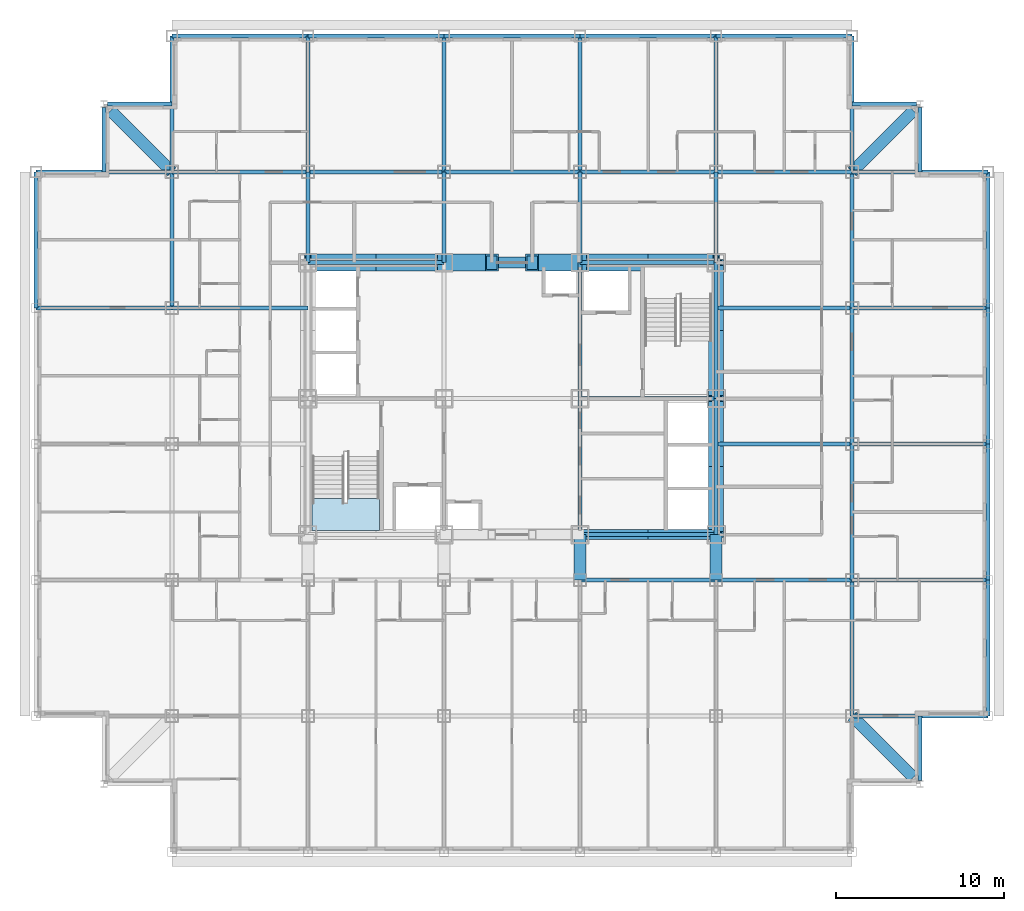
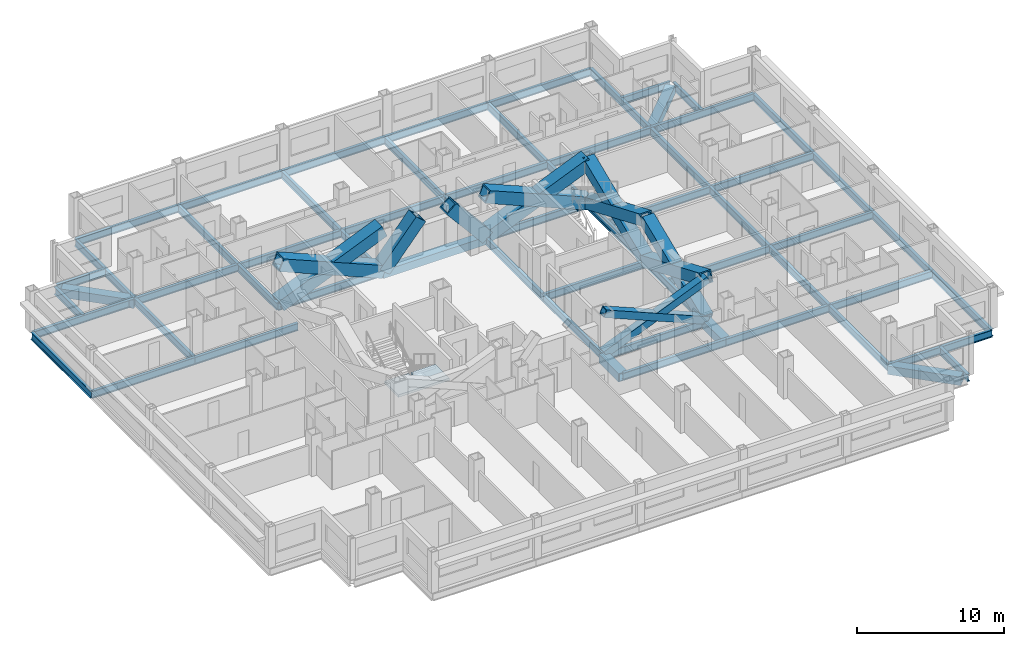
# One storey, part 2 of 12: 61 beams, 12 members, 1 slab, 1 element without a shape of its own.
"""IFC4 building model written with IfcOpenShell, lengths in metres."""

from ifc_helpers import new_model, si_unit, direction, frame, origin, origin_2d, place, context, subcontext, project, spatial, polyline, hollow_rectangle, i_section, outline, extrude, material, layer, layer_set, material_profile, profile_set, type_object, element, aggregate, save


model = new_model("IFC4")

# Units and contexts
model_context = context("Model", 3, precision=1e-05, world=origin(), true_north=direction((0.0, 1.0)))
body_context = subcontext(model_context, "Body", "Model", "MODEL_VIEW")
ifc_project = project(units=[si_unit("LENGTHUNIT", "METRE"), si_unit("AREAUNIT", "SQUARE_METRE"), si_unit("VOLUMEUNIT", "CUBIC_METRE"), si_unit("PLANEANGLEUNIT", "RADIAN"), si_unit("MASSUNIT", "GRAM", prefix="KILO")], contexts=[model_context])

# Site, building, storey
site_placement = place(None, origin())
site = spatial("IfcSite", under=ifc_project, at=site_placement, CompositionType="ELEMENT")
building_placement = place(site_placement, origin())
building = spatial("IfcBuilding", under=site, at=building_placement, Name="Kopane Lantern Tower", CompositionType="ELEMENT")
storey_placement = place(building_placement, frame((0.0, 0.0, 144.199951171875)))
storey = spatial("IfcBuildingStorey", under=building, at=storey_placement, Name="L37", CompositionType="ELEMENT", Elevation=144.199951171875)

# Members
ifc_material_1 = material(Name="Steel S355JR", Category="steel")
ifc_material_profile_1 = material_profile(ifc_material_1, hollow_rectangle(XDim=1.0, YDim=1.0, WallThickness=0.10009765625, at=origin_2d()), Name="BOX 1000x1000x100")
ifc_profile_set_1 = profile_set([ifc_material_profile_1], Name="Steel S355JR")
member_type_1 = type_object("IfcMemberType", Name="BRACE BOX 1000x1000x100", PredefinedType="BRACE", material=ifc_profile_set_1)
for number, where, z_axis, x_axis, name in (
    (1, (16.199951171875, 40.5, -0.2099609375), (0.922069000757, 0.0, 0.387025526088), (0.0, 1.0, 0.0), "Core brace L37"),
    (2, (24.300048828125, 40.5, -0.2099609375), (-0.922069000757, 0.0, 0.387025526088), (0.0, -1.0, 0.0), "Core brace L37"),
):
    element("IfcMember", number, at=place(storey_placement, frame(where, z_axis=z_axis, x_axis=x_axis)), inside=storey, type_object=member_type_1, Name=name, PredefinedType="BRACE", context=body_context, shape_type="SweptSolid", body=[
        extrude(hollow_rectangle(XDim=1.0, YDim=1.0, WallThickness=0.10009765625, at=origin_2d()), origin(), (0.0, 0.0, 1.0), 8.78466796875),
    ])
for number, where, z_axis, x_axis, name in (
    (3, (24.300048828125, 40.5, -0.2099609375), (0.642390257445, 0.0, 0.7663776857), (0.0, 1.0, 0.0), "Core brace L37"),
    (4, (32.39990234375, 40.5, -0.2099609375), (-0.642390257445, 0.0, 0.7663776857), (0.0, -1.0, 0.0), "Core brace L37"),
):
    element("IfcMember", number, at=place(storey_placement, frame(where, z_axis=z_axis, x_axis=x_axis)), inside=storey, type_object=member_type_1, Name=name, PredefinedType="BRACE", context=body_context, shape_type="SweptSolid", body=[
        extrude(hollow_rectangle(XDim=1.0, YDim=1.0, WallThickness=0.10009765625, at=origin_2d()), origin(), (0.0, 0.0, 1.0), 4.436279296875),
    ])
for number, where, z_axis, x_axis, name in (
    (5, (32.39990234375, 40.5, -0.2099609375), (0.922069000757, 0.0, 0.387025526088), (0.0, 1.0, 0.0), "Core brace L37"),
    (6, (40.5, 40.5, -0.2099609375), (-0.922069000757, 0.0, 0.387025526088), (0.0, -1.0, 0.0), "Core brace L37"),
):
    element("IfcMember", number, at=place(storey_placement, frame(where, z_axis=z_axis, x_axis=x_axis)), inside=storey, type_object=member_type_1, Name=name, PredefinedType="BRACE", context=body_context, shape_type="SweptSolid", body=[
        extrude(hollow_rectangle(XDim=1.0, YDim=1.0, WallThickness=0.10009765625, at=origin_2d()), origin(), (0.0, 0.0, 1.0), 8.78466796875),
    ])
ifc_material_2 = material(Name="Steel S355JR", Category="steel")
ifc_material_profile_2 = material_profile(ifc_material_2, hollow_rectangle(XDim=0.60009765625, YDim=0.60009765625, WallThickness=0.050048828125, at=origin_2d()), Name="BOX 600x600x50")
ifc_profile_set_2 = profile_set([ifc_material_profile_2], Name="Steel S355JR")
member_type_2 = type_object("IfcMemberType", Name="BRACE BOX 600x600x50", PredefinedType="BRACE", material=ifc_profile_set_2)
for number, where, z_axis, x_axis, name in (
    (7, (32.39990234375, 24.300048828125, -0.2099609375), (0.922069000757, 0.0, 0.387025526088), (0.0, 1.0, 0.0), "Core brace L37"),
    (8, (40.5, 24.300048828125, -0.2099609375), (-0.922069000757, 0.0, 0.387025526088), (0.0, -1.0, 0.0), "Core brace L37"),
):
    element("IfcMember", number, at=place(storey_placement, frame(where, z_axis=z_axis, x_axis=x_axis)), inside=storey, type_object=member_type_2, Name=name, PredefinedType="BRACE", context=body_context, shape_type="SweptSolid", body=[
        extrude(hollow_rectangle(XDim=0.60009765625, YDim=0.60009765625, WallThickness=0.050048828125, at=origin_2d()), origin(), (0.0, 0.0, 1.0), 8.78466796875),
    ])
ifc_material_3 = material(Name="Steel S355JR", Category="steel")
ifc_material_profile_3 = material_profile(ifc_material_3, hollow_rectangle(XDim=0.89990234375, YDim=0.89990234375, WallThickness=0.090087890625, at=origin_2d()), Name="BOX 900x900x90")
ifc_profile_set_3 = profile_set([ifc_material_profile_3], Name="Steel S355JR")
member_type_3 = type_object("IfcMemberType", Name="BRACE BOX 900x900x90", PredefinedType="BRACE", material=ifc_profile_set_3)
for number, where, z_axis, x_axis, name in (
    (9, (40.5, 24.300048828125, -0.2099609375), (0.0, 0.922064837731, 0.38703544414), (-1.0, 0.0, 0.0), "Core brace L37"),
    (10, (40.5, 32.39990234375, -0.2099609375), (0.0, -0.922064837731, 0.38703544414), (1.0, 0.0, 0.0), "Core brace L37"),
):
    element("IfcMember", number, at=place(storey_placement, frame(where, z_axis=z_axis, x_axis=x_axis)), inside=storey, type_object=member_type_3, Name=name, PredefinedType="BRACE", context=body_context, shape_type="SweptSolid", body=[
        extrude(hollow_rectangle(XDim=0.89990234375, YDim=0.89990234375, WallThickness=0.090087890625, at=origin_2d()), origin(), (0.0, 0.0, 1.0), 8.784423828125),
    ])
for number, where, z_axis, x_axis, name in (
    (11, (40.5, 32.39990234375, -0.2099609375), (0.0, 0.922069000757, 0.387025526088), (-1.0, 0.0, 0.0), "Core brace L37"),
    (12, (40.5, 40.5, -0.2099609375), (0.0, -0.922069000757, 0.387025526088), (1.0, 0.0, 0.0), "Core brace L37"),
):
    element("IfcMember", number, at=place(storey_placement, frame(where, z_axis=z_axis, x_axis=x_axis)), inside=storey, type_object=member_type_3, Name=name, PredefinedType="BRACE", context=body_context, shape_type="SweptSolid", body=[
        extrude(hollow_rectangle(XDim=0.89990234375, YDim=0.89990234375, WallThickness=0.090087890625, at=origin_2d()), origin(), (0.0, 0.0, 1.0), 8.78466796875),
    ])

# Beams
ifc_material_4 = material(Name="Steel S355JR", Category="steel")
ifc_material_profile_4 = material_profile(ifc_material_4, i_section(OverallWidth=0.22900390625, OverallDepth=0.6123046875, WebThickness=0.011962890625, FlangeThickness=0.01953125, FilletRadius=0.0126953125, at=origin_2d()), Name="UB 610x229x125")
ifc_profile_set_4 = profile_set([ifc_material_profile_4], Name="Steel S355JR")
beam_type_1 = type_object("IfcBeamType", Name="CORE BEAM UB 610x229x125", PredefinedType="BEAM", material=ifc_profile_set_4)
beam_1_placement = place(storey_placement, frame((32.39990234375, 24.300048828125, -0.51611328125), z_axis=(0.0, 1.0, 0.0), x_axis=(-1.0, 0.0, 0.0)))
element("IfcBeam", 13, at=beam_1_placement, inside=storey, type_object=beam_type_1, Name="Core Beam L37", PredefinedType="BEAM", context=body_context, shape_type="SweptSolid", body=[
    extrude(i_section(OverallWidth=0.22900390625, OverallDepth=0.6123046875, WebThickness=0.011962890625, FlangeThickness=0.01953125, FilletRadius=0.0126953125, at=origin_2d()), origin(), (0.0, 0.0, 1.0), 8.099853515625),
])
for number, where, z_axis, x_axis, name in (
    (14, (32.39990234375, 32.39990234375, -0.51611328125), (0.0, 1.0, 0.0), (-1.0, 0.0, 0.0), "Core Beam L37"),
    (15, (32.39990234375, 32.39990234375, -0.51611328125), (1.0, 0.0, 0.0), (0.0, 1.0, 0.0), "Core Beam L37"),
):
    element("IfcBeam", number, at=place(storey_placement, frame(where, z_axis=z_axis, x_axis=x_axis)), inside=storey, type_object=beam_type_1, Name=name, PredefinedType="BEAM", context=body_context, shape_type="SweptSolid", body=[
        extrude(i_section(OverallWidth=0.22900390625, OverallDepth=0.6123046875, WebThickness=0.011962890625, FlangeThickness=0.01953125, FilletRadius=0.0126953125, at=origin_2d()), origin(), (0.0, 0.0, 1.0), 8.10009765625),
    ])
ifc_material_5 = material(Name="Steel S355JR", Category="steel")
ifc_material_profile_5 = material_profile(ifc_material_5, hollow_rectangle(XDim=0.699951171875, YDim=0.699951171875, WallThickness=0.06005859375, at=origin_2d()), Name="BOX 700x700x60")
ifc_profile_set_5 = profile_set([ifc_material_profile_5], Name="Steel S355JR")
beam_type_2 = type_object("IfcBeamType", Name="CORNER TIE BEAM BOX 700x700x60", PredefinedType="BEAM", material=ifc_profile_set_5)
beam_2_placement = place(storey_placement, frame((4.447509765625, 49.552490234375, -0.56005859375), z_axis=(0.707106781187, -0.707106781187, 0.0), x_axis=(0.707106781187, 0.707106781187, 0.0)))
element("IfcBeam", 16, at=beam_2_placement, inside=storey, type_object=beam_type_2, Name="Corner Tie Beam L37", PredefinedType="BEAM", context=body_context, shape_type="SweptSolid", body=[
    extrude(hollow_rectangle(XDim=0.699951171875, YDim=0.699951171875, WallThickness=0.06005859375, at=origin_2d()), origin(), (0.0, 0.0, 1.0), 5.16552734375),
])
for number, where, z_axis, x_axis, name in (
    (17, (52.25244140625, 9.847412109375, -0.56005859375), (-0.707083148333, 0.70713041325, 0.0), (-0.70713041325, -0.707083148333, 0.0), "Corner Tie Beam L37"),
    (18, (52.25244140625, 49.552490234375, -0.56005859375), (-0.707083148333, -0.70713041325, 0.0), (0.70713041325, -0.707083148333, 0.0), "Corner Tie Beam L37"),
):
    element("IfcBeam", number, at=place(storey_placement, frame(where, z_axis=z_axis, x_axis=x_axis)), inside=storey, type_object=beam_type_2, Name=name, PredefinedType="BEAM", context=body_context, shape_type="SweptSolid", body=[
        extrude(hollow_rectangle(XDim=0.699951171875, YDim=0.699951171875, WallThickness=0.06005859375, at=origin_2d()), origin(), (0.0, 0.0, 1.0), 5.165283203125),
    ])
ifc_material_6 = material(Name="Steel S355JR", Category="steel")
ifc_material_profile_6 = material_profile(ifc_material_6, i_section(OverallWidth=0.22900390625, OverallDepth=0.6123046875, WebThickness=0.011962890625, FlangeThickness=0.01953125, FilletRadius=0.0126953125, at=origin_2d()), Name="UB 610x229x125")
ifc_profile_set_6 = profile_set([ifc_material_profile_6], Name="Steel S355JR")
beam_type_3 = type_object("IfcBeamType", Name="EDGE BEAM UB 610x229x125", PredefinedType="BEAM", material=ifc_profile_set_6)
for number, where, z_axis, x_axis, name in (
    (19, (4.050048828125, 49.74658203125, -0.51611328125), (0.0, -1.0, 0.0), (1.0, 0.0, 0.0), "Edge Beam L37"),
    (20, (4.25341796875, 49.949951171875, -0.51611328125), (1.0, 0.0, 0.0), (0.0, 1.0, 0.0), "Edge Beam L37"),
):
    element("IfcBeam", number, at=place(storey_placement, frame(where, z_axis=z_axis, x_axis=x_axis)), inside=storey, type_object=beam_type_3, Name=name, PredefinedType="BEAM", context=body_context, shape_type="SweptSolid", body=[
        extrude(i_section(OverallWidth=0.22900390625, OverallDepth=0.6123046875, WebThickness=0.011962890625, FlangeThickness=0.01953125, FilletRadius=0.0126953125, at=origin_2d()), origin(), (0.0, 0.0, 1.0), 3.8466796875),
    ])
for number, where, z_axis, x_axis, name in (
    (21, (52.446533203125, 49.949951171875, -0.51611328125), (-1.0, 0.0, 0.0), (0.0, -1.0, 0.0), "Edge Beam L37"),
    (22, (52.64990234375, 9.653564453125, -0.51611328125), (0.0, 1.0, 0.0), (-1.0, 0.0, 0.0), "Edge Beam L37"),
):
    element("IfcBeam", number, at=place(storey_placement, frame(where, z_axis=z_axis, x_axis=x_axis)), inside=storey, type_object=beam_type_3, Name=name, PredefinedType="BEAM", context=body_context, shape_type="SweptSolid", body=[
        extrude(i_section(OverallWidth=0.22900390625, OverallDepth=0.6123046875, WebThickness=0.011962890625, FlangeThickness=0.01953125, FilletRadius=0.0126953125, at=origin_2d()), origin(), (0.0, 0.0, 1.0), 3.846435546875),
    ])
beam_3_placement = place(storey_placement, frame((52.64990234375, 49.74658203125, -0.51611328125), z_axis=(0.0, -1.0, 0.0), x_axis=(1.0, 0.0, 0.0)))
element("IfcBeam", 23, at=beam_3_placement, inside=storey, type_object=beam_type_3, Name="Edge Beam L37", PredefinedType="BEAM", context=body_context, shape_type="SweptSolid", body=[
    extrude(i_section(OverallWidth=0.22900390625, OverallDepth=0.6123046875, WebThickness=0.011962890625, FlangeThickness=0.01953125, FilletRadius=0.0126953125, at=origin_2d()), origin(), (0.0, 0.0, 1.0), 3.8466796875),
])
ifc_material_7 = material(Name="Steel S355JR", Category="steel")
ifc_material_profile_7 = material_profile(ifc_material_7, hollow_rectangle(XDim=0.699951171875, YDim=0.699951171875, WallThickness=0.06005859375, at=origin_2d()), Name="BOX 700x700x60")
ifc_profile_set_7 = profile_set([ifc_material_profile_7], Name="Steel S355JR")
beam_type_4 = type_object("IfcBeamType", Name="GIRDER BOX 700x700x60", PredefinedType="BEAM", material=ifc_profile_set_7)
for number, where, z_axis, x_axis, name in (
    (24, (32.39990234375, 21.60009765625, -0.56005859375), (0.0, 1.0, 0.0), (-1.0, 0.0, 0.0), "Girder L37"),
    (25, (40.5, 21.60009765625, -0.56005859375), (0.0, 1.0, 0.0), (-1.0, 0.0, 0.0), "Girder L37"),
):
    element("IfcBeam", number, at=place(storey_placement, frame(where, z_axis=z_axis, x_axis=x_axis)), inside=storey, type_object=beam_type_4, Name=name, PredefinedType="BEAM", context=body_context, shape_type="SweptSolid", body=[
        extrude(hollow_rectangle(XDim=0.699951171875, YDim=0.699951171875, WallThickness=0.06005859375, at=origin_2d()), origin(), (0.0, 0.0, 1.0), 2.699951171875),
    ])
ifc_material_8 = material(Name="Steel S355JR", Category="steel")
ifc_material_profile_8 = material_profile(ifc_material_8, i_section(OverallWidth=0.22900390625, OverallDepth=0.6123046875, WebThickness=0.011962890625, FlangeThickness=0.01953125, FilletRadius=0.0126953125, at=origin_2d()), Name="UB 610x229x125")
ifc_profile_set_8 = profile_set([ifc_material_profile_8], Name="Steel S355JR")
beam_type_5 = type_object("IfcBeamType", Name="GIRDER UB 610x229x125", PredefinedType="BEAM", material=ifc_profile_set_8)
beam_4_placement = place(storey_placement, frame((0.0, 37.800048828125, -0.51611328125), z_axis=(0.0, 1.0, 0.0), x_axis=(-1.0, 0.0, 0.0)))
element("IfcBeam", 26, at=beam_4_placement, inside=storey, type_object=beam_type_5, Name="Girder L37", PredefinedType="BEAM", context=body_context, shape_type="SweptSolid", body=[
    extrude(i_section(OverallWidth=0.22900390625, OverallDepth=0.6123046875, WebThickness=0.011962890625, FlangeThickness=0.01953125, FilletRadius=0.0126953125, at=origin_2d()), origin(), (0.0, 0.0, 1.0), 8.099853515625),
])
for number, where, z_axis, x_axis, name in (
    (27, (0.0, 37.800048828125, -0.51611328125), (1.0, 0.0, 0.0), (0.0, 1.0, 0.0), "Girder L37"),
    (28, (0.0, 45.89990234375, -0.51611328125), (1.0, 0.0, 0.0), (0.0, 1.0, 0.0), "Girder L37"),
):
    element("IfcBeam", number, at=place(storey_placement, frame(where, z_axis=z_axis, x_axis=x_axis)), inside=storey, type_object=beam_type_5, Name=name, PredefinedType="BEAM", context=body_context, shape_type="SweptSolid", body=[
        extrude(i_section(OverallWidth=0.22900390625, OverallDepth=0.6123046875, WebThickness=0.011962890625, FlangeThickness=0.01953125, FilletRadius=0.0126953125, at=origin_2d()), origin(), (0.0, 0.0, 1.0), 8.10009765625),
    ])
for number, where, z_axis, x_axis, name in (
    (29, (8.10009765625, 37.800048828125, -0.51611328125), (0.0, 1.0, 0.0), (-1.0, 0.0, 0.0), "Girder L37"),
    (30, (8.10009765625, 37.800048828125, -0.51611328125), (1.0, 0.0, 0.0), (0.0, 1.0, 0.0), "Girder L37"),
):
    element("IfcBeam", number, at=place(storey_placement, frame(where, z_axis=z_axis, x_axis=x_axis)), inside=storey, type_object=beam_type_5, Name=name, PredefinedType="BEAM", context=body_context, shape_type="SweptSolid", body=[
        extrude(i_section(OverallWidth=0.22900390625, OverallDepth=0.6123046875, WebThickness=0.011962890625, FlangeThickness=0.01953125, FilletRadius=0.0126953125, at=origin_2d()), origin(), (0.0, 0.0, 1.0), 8.099853515625),
    ])
beam_5_placement = place(storey_placement, frame((8.10009765625, 45.89990234375, -0.51611328125), z_axis=(0.0, 1.0, 0.0), x_axis=(-1.0, 0.0, 0.0)))
element("IfcBeam", 31, at=beam_5_placement, inside=storey, type_object=beam_type_5, Name="Girder L37", PredefinedType="BEAM", context=body_context, shape_type="SweptSolid", body=[
    extrude(i_section(OverallWidth=0.22900390625, OverallDepth=0.6123046875, WebThickness=0.011962890625, FlangeThickness=0.01953125, FilletRadius=0.0126953125, at=origin_2d()), origin(), (0.0, 0.0, 1.0), 8.10009765625),
])
for number, where, z_axis, x_axis, name in (
    (32, (8.10009765625, 45.89990234375, -0.51611328125), (1.0, 0.0, 0.0), (0.0, 1.0, 0.0), "Girder L37"),
    (33, (8.10009765625, 54.0, -0.51611328125), (1.0, 0.0, 0.0), (0.0, 1.0, 0.0), "Girder L37"),
):
    element("IfcBeam", number, at=place(storey_placement, frame(where, z_axis=z_axis, x_axis=x_axis)), inside=storey, type_object=beam_type_5, Name=name, PredefinedType="BEAM", context=body_context, shape_type="SweptSolid", body=[
        extrude(i_section(OverallWidth=0.22900390625, OverallDepth=0.6123046875, WebThickness=0.011962890625, FlangeThickness=0.01953125, FilletRadius=0.0126953125, at=origin_2d()), origin(), (0.0, 0.0, 1.0), 8.099853515625),
    ])
beam_6_placement = place(storey_placement, frame((16.199951171875, 40.5, -0.51611328125), z_axis=(0.0, 1.0, 0.0), x_axis=(-1.0, 0.0, 0.0)))
element("IfcBeam", 34, at=beam_6_placement, inside=storey, type_object=beam_type_5, Name="Girder L37", PredefinedType="BEAM", context=body_context, shape_type="SweptSolid", body=[
    extrude(i_section(OverallWidth=0.22900390625, OverallDepth=0.6123046875, WebThickness=0.011962890625, FlangeThickness=0.01953125, FilletRadius=0.0126953125, at=origin_2d()), origin(), (0.0, 0.0, 1.0), 5.39990234375),
])
for number, where, z_axis, x_axis, name in (
    (35, (16.199951171875, 40.5, -0.51611328125), (1.0, 0.0, 0.0), (0.0, 1.0, 0.0), "Girder L37"),
    (36, (16.199951171875, 45.89990234375, -0.51611328125), (0.0, 1.0, 0.0), (-1.0, 0.0, 0.0), "Girder L37"),
    (37, (16.199951171875, 45.89990234375, -0.51611328125), (1.0, 0.0, 0.0), (0.0, 1.0, 0.0), "Girder L37"),
    (38, (16.199951171875, 54.0, -0.51611328125), (1.0, 0.0, 0.0), (0.0, 1.0, 0.0), "Girder L37"),
):
    element("IfcBeam", number, at=place(storey_placement, frame(where, z_axis=z_axis, x_axis=x_axis)), inside=storey, type_object=beam_type_5, Name=name, PredefinedType="BEAM", context=body_context, shape_type="SweptSolid", body=[
        extrude(i_section(OverallWidth=0.22900390625, OverallDepth=0.6123046875, WebThickness=0.011962890625, FlangeThickness=0.01953125, FilletRadius=0.0126953125, at=origin_2d()), origin(), (0.0, 0.0, 1.0), 8.10009765625),
    ])
beam_7_placement = place(storey_placement, frame((24.300048828125, 40.5, -0.51611328125), z_axis=(0.0, 1.0, 0.0), x_axis=(-1.0, 0.0, 0.0)))
element("IfcBeam", 39, at=beam_7_placement, inside=storey, type_object=beam_type_5, Name="Girder L37", PredefinedType="BEAM", context=body_context, shape_type="SweptSolid", body=[
    extrude(i_section(OverallWidth=0.22900390625, OverallDepth=0.6123046875, WebThickness=0.011962890625, FlangeThickness=0.01953125, FilletRadius=0.0126953125, at=origin_2d()), origin(), (0.0, 0.0, 1.0), 5.39990234375),
])
beam_8_placement = place(storey_placement, frame((24.300048828125, 45.89990234375, -0.51611328125), z_axis=(0.0, 1.0, 0.0), x_axis=(-1.0, 0.0, 0.0)))
element("IfcBeam", 40, at=beam_8_placement, inside=storey, type_object=beam_type_5, Name="Girder L37", PredefinedType="BEAM", context=body_context, shape_type="SweptSolid", body=[
    extrude(i_section(OverallWidth=0.22900390625, OverallDepth=0.6123046875, WebThickness=0.011962890625, FlangeThickness=0.01953125, FilletRadius=0.0126953125, at=origin_2d()), origin(), (0.0, 0.0, 1.0), 8.10009765625),
])
for number, where, z_axis, x_axis, name in (
    (41, (24.300048828125, 45.89990234375, -0.51611328125), (1.0, 0.0, 0.0), (0.0, 1.0, 0.0), "Girder L37"),
    (42, (24.300048828125, 54.0, -0.51611328125), (1.0, 0.0, 0.0), (0.0, 1.0, 0.0), "Girder L37"),
):
    element("IfcBeam", number, at=place(storey_placement, frame(where, z_axis=z_axis, x_axis=x_axis)), inside=storey, type_object=beam_type_5, Name=name, PredefinedType="BEAM", context=body_context, shape_type="SweptSolid", body=[
        extrude(i_section(OverallWidth=0.22900390625, OverallDepth=0.6123046875, WebThickness=0.011962890625, FlangeThickness=0.01953125, FilletRadius=0.0126953125, at=origin_2d()), origin(), (0.0, 0.0, 1.0), 8.099853515625),
    ])
for number, where, z_axis, x_axis, name in (
    (43, (32.39990234375, 21.60009765625, -0.51611328125), (1.0, 0.0, 0.0), (0.0, 1.0, 0.0), "Girder L37"),
    (44, (32.39990234375, 24.300048828125, -0.51611328125), (1.0, 0.0, 0.0), (0.0, 1.0, 0.0), "Girder L37"),
):
    element("IfcBeam", number, at=place(storey_placement, frame(where, z_axis=z_axis, x_axis=x_axis)), inside=storey, type_object=beam_type_5, Name=name, PredefinedType="BEAM", context=body_context, shape_type="SweptSolid", body=[
        extrude(i_section(OverallWidth=0.22900390625, OverallDepth=0.6123046875, WebThickness=0.011962890625, FlangeThickness=0.01953125, FilletRadius=0.0126953125, at=origin_2d()), origin(), (0.0, 0.0, 1.0), 8.10009765625),
    ])
beam_9_placement = place(storey_placement, frame((32.39990234375, 40.5, -0.51611328125), z_axis=(0.0, 1.0, 0.0), x_axis=(-1.0, 0.0, 0.0)))
element("IfcBeam", 45, at=beam_9_placement, inside=storey, type_object=beam_type_5, Name="Girder L37", PredefinedType="BEAM", context=body_context, shape_type="SweptSolid", body=[
    extrude(i_section(OverallWidth=0.22900390625, OverallDepth=0.6123046875, WebThickness=0.011962890625, FlangeThickness=0.01953125, FilletRadius=0.0126953125, at=origin_2d()), origin(), (0.0, 0.0, 1.0), 5.39990234375),
])
for number, where, z_axis, x_axis, name in (
    (46, (32.39990234375, 40.5, -0.51611328125), (1.0, 0.0, 0.0), (0.0, 1.0, 0.0), "Girder L37"),
    (47, (32.39990234375, 45.89990234375, -0.51611328125), (0.0, 1.0, 0.0), (-1.0, 0.0, 0.0), "Girder L37"),
    (48, (32.39990234375, 45.89990234375, -0.51611328125), (1.0, 0.0, 0.0), (0.0, 1.0, 0.0), "Girder L37"),
    (49, (32.39990234375, 54.0, -0.51611328125), (1.0, 0.0, 0.0), (0.0, 1.0, 0.0), "Girder L37"),
    (50, (40.5, 21.60009765625, -0.51611328125), (1.0, 0.0, 0.0), (0.0, 1.0, 0.0), "Girder L37"),
):
    element("IfcBeam", number, at=place(storey_placement, frame(where, z_axis=z_axis, x_axis=x_axis)), inside=storey, type_object=beam_type_5, Name=name, PredefinedType="BEAM", context=body_context, shape_type="SweptSolid", body=[
        extrude(i_section(OverallWidth=0.22900390625, OverallDepth=0.6123046875, WebThickness=0.011962890625, FlangeThickness=0.01953125, FilletRadius=0.0126953125, at=origin_2d()), origin(), (0.0, 0.0, 1.0), 8.10009765625),
    ])
beam_10_placement = place(storey_placement, frame((40.5, 24.300048828125, -0.51611328125), z_axis=(0.0, 1.0, 0.0), x_axis=(-1.0, 0.0, 0.0)))
element("IfcBeam", 51, at=beam_10_placement, inside=storey, type_object=beam_type_5, Name="Girder L37", PredefinedType="BEAM", context=body_context, shape_type="SweptSolid", body=[
    extrude(i_section(OverallWidth=0.22900390625, OverallDepth=0.6123046875, WebThickness=0.011962890625, FlangeThickness=0.01953125, FilletRadius=0.0126953125, at=origin_2d()), origin(), (0.0, 0.0, 1.0), 8.099853515625),
])
for number, where, z_axis, x_axis, name in (
    (52, (40.5, 29.699951171875, -0.51611328125), (1.0, 0.0, 0.0), (0.0, 1.0, 0.0), "Girder L37"),
    (53, (40.5, 32.39990234375, -0.51611328125), (0.0, 1.0, 0.0), (-1.0, 0.0, 0.0), "Girder L37"),
    (54, (40.5, 37.800048828125, -0.51611328125), (1.0, 0.0, 0.0), (0.0, 1.0, 0.0), "Girder L37"),
):
    element("IfcBeam", number, at=place(storey_placement, frame(where, z_axis=z_axis, x_axis=x_axis)), inside=storey, type_object=beam_type_5, Name=name, PredefinedType="BEAM", context=body_context, shape_type="SweptSolid", body=[
        extrude(i_section(OverallWidth=0.22900390625, OverallDepth=0.6123046875, WebThickness=0.011962890625, FlangeThickness=0.01953125, FilletRadius=0.0126953125, at=origin_2d()), origin(), (0.0, 0.0, 1.0), 8.10009765625),
    ])
beam_11_placement = place(storey_placement, frame((40.5, 40.5, -0.51611328125), z_axis=(0.0, 1.0, 0.0), x_axis=(-1.0, 0.0, 0.0)))
element("IfcBeam", 55, at=beam_11_placement, inside=storey, type_object=beam_type_5, Name="Girder L37", PredefinedType="BEAM", context=body_context, shape_type="SweptSolid", body=[
    extrude(i_section(OverallWidth=0.22900390625, OverallDepth=0.6123046875, WebThickness=0.011962890625, FlangeThickness=0.01953125, FilletRadius=0.0126953125, at=origin_2d()), origin(), (0.0, 0.0, 1.0), 5.39990234375),
])
for number, where, z_axis, x_axis, name in (
    (56, (40.5, 45.89990234375, -0.51611328125), (0.0, 1.0, 0.0), (-1.0, 0.0, 0.0), "Girder L37"),
    (57, (40.5, 45.89990234375, -0.51611328125), (1.0, 0.0, 0.0), (0.0, 1.0, 0.0), "Girder L37"),
    (58, (40.5, 54.0, -0.51611328125), (1.0, 0.0, 0.0), (0.0, 1.0, 0.0), "Girder L37"),
    (59, (48.60009765625, 13.5, -0.51611328125), (0.0, 1.0, 0.0), (-1.0, 0.0, 0.0), "Girder L37"),
):
    element("IfcBeam", number, at=place(storey_placement, frame(where, z_axis=z_axis, x_axis=x_axis)), inside=storey, type_object=beam_type_5, Name=name, PredefinedType="BEAM", context=body_context, shape_type="SweptSolid", body=[
        extrude(i_section(OverallWidth=0.22900390625, OverallDepth=0.6123046875, WebThickness=0.011962890625, FlangeThickness=0.01953125, FilletRadius=0.0126953125, at=origin_2d()), origin(), (0.0, 0.0, 1.0), 8.10009765625),
    ])
for number, where, z_axis, x_axis, name in (
    (60, (48.60009765625, 13.5, -0.51611328125), (1.0, 0.0, 0.0), (0.0, 1.0, 0.0), "Girder L37"),
    (61, (48.60009765625, 21.60009765625, -0.51611328125), (0.0, 1.0, 0.0), (-1.0, 0.0, 0.0), "Girder L37"),
    (62, (48.60009765625, 21.60009765625, -0.51611328125), (1.0, 0.0, 0.0), (0.0, 1.0, 0.0), "Girder L37"),
):
    element("IfcBeam", number, at=place(storey_placement, frame(where, z_axis=z_axis, x_axis=x_axis)), inside=storey, type_object=beam_type_5, Name=name, PredefinedType="BEAM", context=body_context, shape_type="SweptSolid", body=[
        extrude(i_section(OverallWidth=0.22900390625, OverallDepth=0.6123046875, WebThickness=0.011962890625, FlangeThickness=0.01953125, FilletRadius=0.0126953125, at=origin_2d()), origin(), (0.0, 0.0, 1.0), 8.099853515625),
    ])
beam_12_placement = place(storey_placement, frame((48.60009765625, 29.699951171875, -0.51611328125), z_axis=(0.0, 1.0, 0.0), x_axis=(-1.0, 0.0, 0.0)))
element("IfcBeam", 63, at=beam_12_placement, inside=storey, type_object=beam_type_5, Name="Girder L37", PredefinedType="BEAM", context=body_context, shape_type="SweptSolid", body=[
    extrude(i_section(OverallWidth=0.22900390625, OverallDepth=0.6123046875, WebThickness=0.011962890625, FlangeThickness=0.01953125, FilletRadius=0.0126953125, at=origin_2d()), origin(), (0.0, 0.0, 1.0), 8.10009765625),
])
for number, where, z_axis, x_axis, name in (
    (64, (48.60009765625, 29.699951171875, -0.51611328125), (1.0, 0.0, 0.0), (0.0, 1.0, 0.0), "Girder L37"),
    (65, (48.60009765625, 37.800048828125, -0.51611328125), (0.0, 1.0, 0.0), (-1.0, 0.0, 0.0), "Girder L37"),
    (66, (48.60009765625, 37.800048828125, -0.51611328125), (1.0, 0.0, 0.0), (0.0, 1.0, 0.0), "Girder L37"),
):
    element("IfcBeam", number, at=place(storey_placement, frame(where, z_axis=z_axis, x_axis=x_axis)), inside=storey, type_object=beam_type_5, Name=name, PredefinedType="BEAM", context=body_context, shape_type="SweptSolid", body=[
        extrude(i_section(OverallWidth=0.22900390625, OverallDepth=0.6123046875, WebThickness=0.011962890625, FlangeThickness=0.01953125, FilletRadius=0.0126953125, at=origin_2d()), origin(), (0.0, 0.0, 1.0), 8.099853515625),
    ])
beam_13_placement = place(storey_placement, frame((48.60009765625, 45.89990234375, -0.51611328125), z_axis=(0.0, 1.0, 0.0), x_axis=(-1.0, 0.0, 0.0)))
element("IfcBeam", 67, at=beam_13_placement, inside=storey, type_object=beam_type_5, Name="Girder L37", PredefinedType="BEAM", context=body_context, shape_type="SweptSolid", body=[
    extrude(i_section(OverallWidth=0.22900390625, OverallDepth=0.6123046875, WebThickness=0.011962890625, FlangeThickness=0.01953125, FilletRadius=0.0126953125, at=origin_2d()), origin(), (0.0, 0.0, 1.0), 8.10009765625),
])
beam_14_placement = place(storey_placement, frame((48.60009765625, 45.89990234375, -0.51611328125), z_axis=(1.0, 0.0, 0.0), x_axis=(0.0, 1.0, 0.0)))
element("IfcBeam", 68, at=beam_14_placement, inside=storey, type_object=beam_type_5, Name="Girder L37", PredefinedType="BEAM", context=body_context, shape_type="SweptSolid", body=[
    extrude(i_section(OverallWidth=0.22900390625, OverallDepth=0.6123046875, WebThickness=0.011962890625, FlangeThickness=0.01953125, FilletRadius=0.0126953125, at=origin_2d()), origin(), (0.0, 0.0, 1.0), 8.099853515625),
])
beam_15_placement = place(storey_placement, frame((56.699951171875, 13.5, -0.51611328125), z_axis=(0.0, 1.0, 0.0), x_axis=(-1.0, 0.0, 0.0)))
element("IfcBeam", 69, at=beam_15_placement, inside=storey, type_object=beam_type_5, Name="Girder L37", PredefinedType="BEAM", context=body_context, shape_type="SweptSolid", body=[
    extrude(i_section(OverallWidth=0.22900390625, OverallDepth=0.6123046875, WebThickness=0.011962890625, FlangeThickness=0.01953125, FilletRadius=0.0126953125, at=origin_2d()), origin(), (0.0, 0.0, 1.0), 8.10009765625),
])
beam_16_placement = place(storey_placement, frame((56.699951171875, 21.60009765625, -0.51611328125), z_axis=(0.0, 1.0, 0.0), x_axis=(-1.0, 0.0, 0.0)))
element("IfcBeam", 70, at=beam_16_placement, inside=storey, type_object=beam_type_5, Name="Girder L37", PredefinedType="BEAM", context=body_context, shape_type="SweptSolid", body=[
    extrude(i_section(OverallWidth=0.22900390625, OverallDepth=0.6123046875, WebThickness=0.011962890625, FlangeThickness=0.01953125, FilletRadius=0.0126953125, at=origin_2d()), origin(), (0.0, 0.0, 1.0), 8.099853515625),
])
beam_17_placement = place(storey_placement, frame((56.699951171875, 29.699951171875, -0.51611328125), z_axis=(0.0, 1.0, 0.0), x_axis=(-1.0, 0.0, 0.0)))
element("IfcBeam", 71, at=beam_17_placement, inside=storey, type_object=beam_type_5, Name="Girder L37", PredefinedType="BEAM", context=body_context, shape_type="SweptSolid", body=[
    extrude(i_section(OverallWidth=0.22900390625, OverallDepth=0.6123046875, WebThickness=0.011962890625, FlangeThickness=0.01953125, FilletRadius=0.0126953125, at=origin_2d()), origin(), (0.0, 0.0, 1.0), 8.10009765625),
])
beam_18_placement = place(storey_placement, frame((56.699951171875, 37.800048828125, -0.51611328125), z_axis=(0.0, 1.0, 0.0), x_axis=(-1.0, 0.0, 0.0)))
element("IfcBeam", 72, at=beam_18_placement, inside=storey, type_object=beam_type_5, Name="Girder L37", PredefinedType="BEAM", context=body_context, shape_type="SweptSolid", body=[
    extrude(i_section(OverallWidth=0.22900390625, OverallDepth=0.6123046875, WebThickness=0.011962890625, FlangeThickness=0.01953125, FilletRadius=0.0126953125, at=origin_2d()), origin(), (0.0, 0.0, 1.0), 8.099853515625),
])
ifc_material_9 = material(Name="Steel S355JR", Category="steel")
ifc_material_profile_9 = material_profile(ifc_material_9, hollow_rectangle(XDim=0.64990234375, YDim=0.64990234375, WallThickness=0.070068359375, at=origin_2d()), Name="BOX 650x650x70")
ifc_profile_set_9 = profile_set([ifc_material_profile_9], Name="Steel S355JR")
beam_type_6 = type_object("IfcBeamType", Name="LINK BEAM BOX 650x650x70", PredefinedType="BEAM", material=ifc_profile_set_9)
beam_19_placement = place(storey_placement, frame((24.300048828125, 40.5, -0.534912109375), z_axis=(1.0, 0.0, 0.0), x_axis=(0.0, 1.0, 0.0)))
element("IfcBeam", 73, at=beam_19_placement, inside=storey, type_object=beam_type_6, Name="Link Beam L37", PredefinedType="BEAM", context=body_context, shape_type="SweptSolid", body=[
    extrude(hollow_rectangle(XDim=0.64990234375, YDim=0.64990234375, WallThickness=0.070068359375, at=origin_2d()), origin(), (0.0, 0.0, 1.0), 8.099853515625),
])

# Stair, slab
ifc_material_10 = material(Name="Steel S355JR", Category="steel")
stair_type = type_object("IfcStairType", Name="EXIT STAIR 1900 HALF TURN", PredefinedType="HALF_TURN_STAIR", material=ifc_material_10)
stair_placement = place(storey_placement, origin())
stair = element("IfcStair", 74, at=stair_placement, inside=storey, type_object=stair_type, Name="Exit stair ST1 L37", PredefinedType="HALF_TURN_STAIR")
ifc_material_11 = material(Name="Concrete C40/50", Category="concrete")
ifc_layer = layer(ifc_material_11, 0.199951171875)
ifc_layer_set = layer_set([ifc_layer], Name="STAIR LANDING 200")
slab_type = type_object("IfcSlabType", Name="STAIR LANDING 200", PredefinedType="LANDING", material=ifc_layer_set)
slab_placement = place(storey_placement, frame((0.0, 0.0, 1.5)))
slab = element("IfcSlab", 75, at=slab_placement, type_object=slab_type, Name="ST1 landing 2", PredefinedType="LANDING", context=body_context, shape_type="SweptSolid", body=[
    extrude(outline(polyline([(20.449951171875, 26.449951171875), (18.550048828125, 26.449951171875), (18.550048828125, 26.169921875), (18.35009765625, 26.169921875), (18.35009765625, 26.449951171875), (16.449951171875, 26.449951171875), (16.449951171875, 24.550048828125), (20.449951171875, 24.550048828125), (20.449951171875, 26.449951171875)])), origin(), (0.0, 0.0, 1.0), 0.199951171875),
])
aggregate(stair, [slab])

save(model, "model.ifc")
